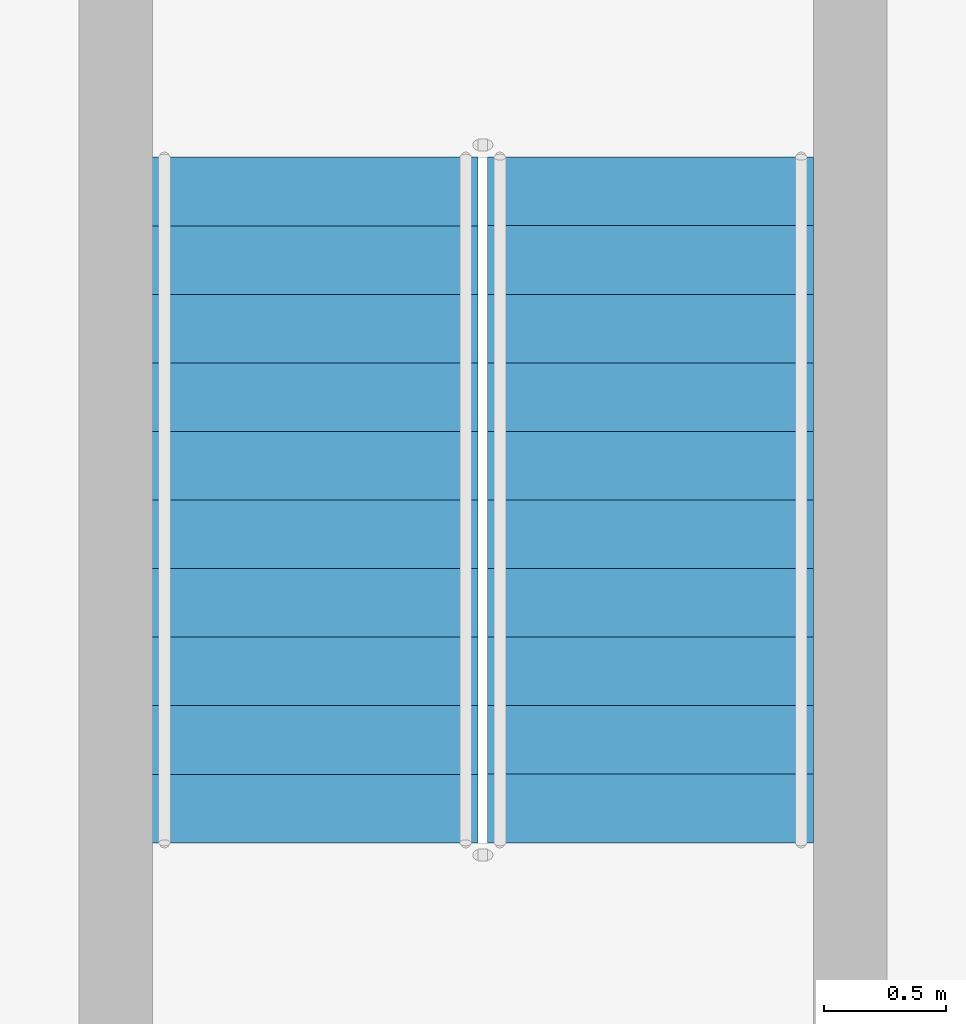
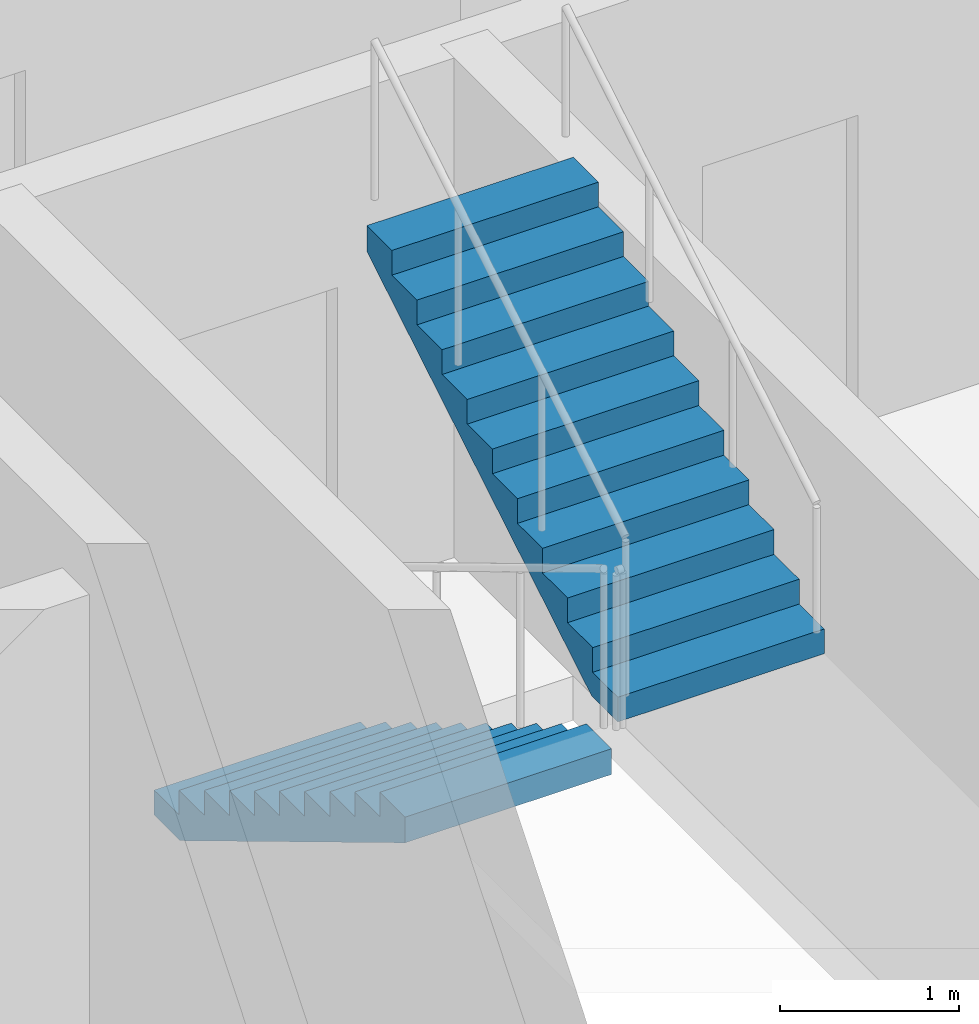
# One storey, part 14 of 20: 2 stair flights, 1 element without a shape of its own.
"""IFC4 building model written with IfcOpenShell, lengths in metres."""

from ifc_helpers import new_model, si_unit, direction, frame, origin, place, context, subcontext, project, spatial, triangles, source, transform, mapped, material, type_object, element, aggregate, save


model = new_model("IFC4")

# Units and contexts
model_context = context("Model", 3, precision=1e-05, world=origin(), true_north=direction((0.0, 1.0)))
body_context = subcontext(model_context, "Body", "Model", "MODEL_VIEW")
ifc_project = project(units=[si_unit("LENGTHUNIT", "METRE"), si_unit("AREAUNIT", "SQUARE_METRE"), si_unit("VOLUMEUNIT", "CUBIC_METRE"), si_unit("PLANEANGLEUNIT", "RADIAN"), si_unit("MASSUNIT", "GRAM", prefix="KILO")], contexts=[model_context])

# Site, building, storey
site_placement = place(None, origin())
site = spatial("IfcSite", under=ifc_project, at=site_placement, CompositionType="ELEMENT")
building_placement = place(site_placement, origin())
building = spatial("IfcBuilding", under=site, at=building_placement, Name="Ogive Portal Towers", CompositionType="ELEMENT")
storey_placement = place(building_placement, frame((0.0, 0.0, 232.800048828125)))
storey = spatial("IfcBuildingStorey", under=building, at=storey_placement, Name="L58", CompositionType="ELEMENT", Elevation=232.800048828125)

# Stair, stair flights
ifc_material = material(Name="Concrete C40/50", Category="concrete")
stair_type = type_object("IfcStairType", Name="INT-STAIR", PredefinedType="HALF_TURN_STAIR", material=ifc_material)
stair_placement = place(storey_placement, origin())
stair = element("IfcStair", 1, at=stair_placement, inside=storey, type_object=stair_type, Name="L58 Exit Stair ST-A4", PredefinedType="HALF_TURN_STAIR")
stair_flight_type = type_object("IfcStairFlightType", Name="INT-FLIGHT", PredefinedType="STRAIGHT", material=ifc_material)
shared_shape = source(origin(), body_context, "Body", "Tessellation", [
    triangles([(0.0, -0.6650390625, 0.0), (0.0, -0.384765625, 0.0), (0.0, -0.197021484375, 0.0), (0.0, -0.0830078125, 0.0), (0.0, -0.024658203125, 0.0), (0.0, -0.003173828125, 0.0), (0.0, 0.0, 0.0), (0.0, 0.003173828125, 0.0), (0.0, 0.024658203125, 0.0), (0.0, 0.0830078125, 0.0), (0.0, 0.197021484375, 0.0), (0.0, 0.384765625, 0.0), (0.0, 0.6650390625, 0.0), (0.0, -0.6650390625, 0.168212890625), (0.0, -0.384765625, 0.168212890625), (0.0, -0.197021484375, 0.168212890625), (0.0, -0.0830078125, 0.168212890625), (0.0, -0.024658203125, 0.168212890625), (0.0, -0.003173828125, 0.168212890625), (0.0, 0.0, 0.168212890625), (0.0, 0.003173828125, 0.168212890625), (0.0, 0.024658203125, 0.168212890625), (0.0, 0.0830078125, 0.168212890625), (0.0, 0.197021484375, 0.168212890625), (0.0, 0.384765625, 0.168212890625), (0.0, 0.6650390625, 0.168212890625), (0.280029296875, -0.6650390625, 0.168212890625), (0.280029296875, -0.384765625, 0.168212890625), (0.280029296875, -0.197021484375, 0.168212890625), (0.280029296875, -0.0830078125, 0.168212890625), (0.280029296875, -0.024658203125, 0.168212890625), (0.280029296875, -0.003173828125, 0.168212890625), (0.280029296875, 0.0, 0.168212890625), (0.280029296875, 0.003173828125, 0.168212890625), (0.280029296875, 0.024658203125, 0.168212890625), (0.280029296875, 0.0830078125, 0.168212890625), (0.280029296875, 0.197021484375, 0.168212890625), (0.280029296875, 0.384765625, 0.168212890625), (0.280029296875, 0.6650390625, 0.168212890625), (0.280029296875, -0.6650390625, 0.33642578125), (0.280029296875, -0.384765625, 0.33642578125), (0.280029296875, -0.197021484375, 0.33642578125), (0.280029296875, -0.0830078125, 0.33642578125), (0.280029296875, -0.024658203125, 0.33642578125), (0.280029296875, -0.003173828125, 0.33642578125), (0.280029296875, 0.0, 0.33642578125), (0.280029296875, 0.003173828125, 0.33642578125), (0.280029296875, 0.024658203125, 0.33642578125), (0.280029296875, 0.0830078125, 0.33642578125), (0.280029296875, 0.197021484375, 0.33642578125), (0.280029296875, 0.384765625, 0.33642578125), (0.280029296875, 0.6650390625, 0.33642578125), (0.56005859375, -0.6650390625, 0.33642578125), (0.56005859375, -0.384765625, 0.33642578125), (0.56005859375, -0.197021484375, 0.33642578125), (0.56005859375, -0.0830078125, 0.33642578125), (0.56005859375, -0.024658203125, 0.33642578125), (0.56005859375, -0.003173828125, 0.33642578125), (0.56005859375, 0.0, 0.33642578125), (0.56005859375, 0.003173828125, 0.33642578125), (0.56005859375, 0.024658203125, 0.33642578125), (0.56005859375, 0.0830078125, 0.33642578125), (0.56005859375, 0.197021484375, 0.33642578125), (0.56005859375, 0.384765625, 0.33642578125), (0.56005859375, 0.6650390625, 0.33642578125), (0.56005859375, -0.6650390625, 0.504638671875), (0.56005859375, -0.384765625, 0.504638671875), (0.56005859375, -0.197021484375, 0.504638671875), (0.56005859375, -0.0830078125, 0.504638671875), (0.56005859375, -0.024658203125, 0.504638671875), (0.56005859375, -0.003173828125, 0.504638671875), (0.56005859375, 0.0, 0.504638671875), (0.56005859375, 0.003173828125, 0.504638671875), (0.56005859375, 0.024658203125, 0.504638671875), (0.56005859375, 0.0830078125, 0.504638671875), (0.56005859375, 0.197021484375, 0.504638671875), (0.56005859375, 0.384765625, 0.504638671875), (0.56005859375, 0.6650390625, 0.504638671875), (0.840087890625, -0.6650390625, 0.504638671875), (0.840087890625, -0.384765625, 0.504638671875), (0.840087890625, -0.197021484375, 0.504638671875), (0.840087890625, -0.0830078125, 0.504638671875), (0.840087890625, -0.024658203125, 0.504638671875), (0.840087890625, -0.003173828125, 0.504638671875), (0.840087890625, 0.0, 0.504638671875), (0.840087890625, 0.003173828125, 0.504638671875), (0.840087890625, 0.024658203125, 0.504638671875), (0.840087890625, 0.0830078125, 0.504638671875), (0.840087890625, 0.197021484375, 0.504638671875), (0.840087890625, 0.384765625, 0.504638671875), (0.840087890625, 0.6650390625, 0.504638671875), (0.840087890625, -0.6650390625, 0.672607421875), (0.840087890625, -0.384765625, 0.672607421875), (0.840087890625, -0.197021484375, 0.672607421875), (0.840087890625, -0.0830078125, 0.672607421875), (0.840087890625, -0.024658203125, 0.672607421875), (0.840087890625, -0.003173828125, 0.672607421875), (0.840087890625, 0.0, 0.672607421875), (0.840087890625, 0.003173828125, 0.672607421875), (0.840087890625, 0.024658203125, 0.672607421875), (0.840087890625, 0.0830078125, 0.672607421875), (0.840087890625, 0.197021484375, 0.672607421875), (0.840087890625, 0.384765625, 0.672607421875), (0.840087890625, 0.6650390625, 0.672607421875), (1.1201171875, -0.6650390625, 0.672607421875), (1.1201171875, -0.384765625, 0.672607421875), (1.1201171875, -0.197021484375, 0.672607421875), (1.1201171875, -0.0830078125, 0.672607421875), (1.1201171875, -0.024658203125, 0.672607421875), (1.1201171875, -0.003173828125, 0.672607421875), (1.1201171875, 0.0, 0.672607421875), (1.1201171875, 0.003173828125, 0.672607421875), (1.1201171875, 0.024658203125, 0.672607421875), (1.1201171875, 0.0830078125, 0.672607421875), (1.1201171875, 0.197021484375, 0.672607421875), (1.1201171875, 0.384765625, 0.672607421875), (1.1201171875, 0.6650390625, 0.672607421875), (1.1201171875, -0.6650390625, 0.8408203125), (1.1201171875, -0.384765625, 0.8408203125), (1.1201171875, -0.197021484375, 0.8408203125), (1.1201171875, -0.0830078125, 0.8408203125), (1.1201171875, -0.024658203125, 0.8408203125), (1.1201171875, -0.003173828125, 0.8408203125), (1.1201171875, 0.0, 0.8408203125), (1.1201171875, 0.003173828125, 0.8408203125), (1.1201171875, 0.024658203125, 0.8408203125), (1.1201171875, 0.0830078125, 0.8408203125), (1.1201171875, 0.197021484375, 0.8408203125), (1.1201171875, 0.384765625, 0.8408203125), (1.1201171875, 0.6650390625, 0.8408203125), (1.39990234375, -0.6650390625, 0.8408203125), (1.39990234375, -0.384765625, 0.8408203125), (1.39990234375, -0.197021484375, 0.8408203125), (1.39990234375, -0.0830078125, 0.8408203125), (1.39990234375, -0.024658203125, 0.8408203125), (1.39990234375, -0.003173828125, 0.8408203125), (1.39990234375, 0.0, 0.8408203125), (1.39990234375, 0.003173828125, 0.8408203125), (1.39990234375, 0.024658203125, 0.8408203125), (1.39990234375, 0.0830078125, 0.8408203125), (1.39990234375, 0.197021484375, 0.8408203125), (1.39990234375, 0.384765625, 0.8408203125), (1.39990234375, 0.6650390625, 0.8408203125), (1.39990234375, -0.6650390625, 1.009033203125), (1.39990234375, -0.384765625, 1.009033203125), (1.39990234375, -0.197021484375, 1.009033203125), (1.39990234375, -0.0830078125, 1.009033203125), (1.39990234375, -0.024658203125, 1.009033203125), (1.39990234375, -0.003173828125, 1.009033203125), (1.39990234375, 0.0, 1.009033203125), (1.39990234375, 0.003173828125, 1.009033203125), (1.39990234375, 0.024658203125, 1.009033203125), (1.39990234375, 0.0830078125, 1.009033203125), (1.39990234375, 0.197021484375, 1.009033203125), (1.39990234375, 0.384765625, 1.009033203125), (1.39990234375, 0.6650390625, 1.009033203125), (1.679931640625, -0.6650390625, 1.009033203125), (1.679931640625, -0.384765625, 1.009033203125), (1.679931640625, -0.197021484375, 1.009033203125), (1.679931640625, -0.0830078125, 1.009033203125), (1.679931640625, -0.024658203125, 1.009033203125), (1.679931640625, -0.003173828125, 1.009033203125), (1.679931640625, 0.0, 1.009033203125), (1.679931640625, 0.003173828125, 1.009033203125), (1.679931640625, 0.024658203125, 1.009033203125), (1.679931640625, 0.0830078125, 1.009033203125), (1.679931640625, 0.197021484375, 1.009033203125), (1.679931640625, 0.384765625, 1.009033203125), (1.679931640625, 0.6650390625, 1.009033203125), (1.679931640625, -0.6650390625, 1.17724609375), (1.679931640625, -0.384765625, 1.17724609375), (1.679931640625, -0.197021484375, 1.17724609375), (1.679931640625, -0.0830078125, 1.17724609375), (1.679931640625, -0.024658203125, 1.17724609375), (1.679931640625, -0.003173828125, 1.17724609375), (1.679931640625, 0.0, 1.17724609375), (1.679931640625, 0.003173828125, 1.17724609375), (1.679931640625, 0.024658203125, 1.17724609375), (1.679931640625, 0.0830078125, 1.17724609375), (1.679931640625, 0.197021484375, 1.17724609375), (1.679931640625, 0.384765625, 1.17724609375), (1.679931640625, 0.6650390625, 1.17724609375), (1.9599609375, -0.6650390625, 1.17724609375), (1.9599609375, -0.384765625, 1.17724609375), (1.9599609375, -0.197021484375, 1.17724609375), (1.9599609375, -0.0830078125, 1.17724609375), (1.9599609375, -0.024658203125, 1.17724609375), (1.9599609375, -0.003173828125, 1.17724609375), (1.9599609375, 0.0, 1.17724609375), (1.9599609375, 0.003173828125, 1.17724609375), (1.9599609375, 0.024658203125, 1.17724609375), (1.9599609375, 0.0830078125, 1.17724609375), (1.9599609375, 0.197021484375, 1.17724609375), (1.9599609375, 0.384765625, 1.17724609375), (1.9599609375, 0.6650390625, 1.17724609375), (1.9599609375, -0.6650390625, 1.345458984375), (1.9599609375, -0.384765625, 1.345458984375), (1.9599609375, -0.197021484375, 1.345458984375), (1.9599609375, -0.0830078125, 1.345458984375), (1.9599609375, -0.024658203125, 1.345458984375), (1.9599609375, -0.003173828125, 1.345458984375), (1.9599609375, 0.0, 1.345458984375), (1.9599609375, 0.003173828125, 1.345458984375), (1.9599609375, 0.024658203125, 1.345458984375), (1.9599609375, 0.0830078125, 1.345458984375), (1.9599609375, 0.197021484375, 1.345458984375), (1.9599609375, 0.384765625, 1.345458984375), (1.9599609375, 0.6650390625, 1.345458984375), (2.239990234375, -0.6650390625, 1.345458984375), (2.239990234375, -0.384765625, 1.345458984375), (2.239990234375, -0.197021484375, 1.345458984375), (2.239990234375, -0.0830078125, 1.345458984375), (2.239990234375, -0.024658203125, 1.345458984375), (2.239990234375, -0.003173828125, 1.345458984375), (2.239990234375, 0.0, 1.345458984375), (2.239990234375, 0.003173828125, 1.345458984375), (2.239990234375, 0.024658203125, 1.345458984375), (2.239990234375, 0.0830078125, 1.345458984375), (2.239990234375, 0.197021484375, 1.345458984375), (2.239990234375, 0.384765625, 1.345458984375), (2.239990234375, 0.6650390625, 1.345458984375), (2.239990234375, -0.6650390625, 1.513671875), (2.239990234375, -0.384765625, 1.513671875), (2.239990234375, -0.197021484375, 1.513671875), (2.239990234375, -0.0830078125, 1.513671875), (2.239990234375, -0.024658203125, 1.513671875), (2.239990234375, -0.003173828125, 1.513671875), (2.239990234375, 0.0, 1.513671875), (2.239990234375, 0.003173828125, 1.513671875), (2.239990234375, 0.024658203125, 1.513671875), (2.239990234375, 0.0830078125, 1.513671875), (2.239990234375, 0.197021484375, 1.513671875), (2.239990234375, 0.384765625, 1.513671875), (2.239990234375, 0.6650390625, 1.513671875), (2.52001953125, -0.6650390625, 1.513671875), (2.52001953125, -0.384765625, 1.513671875), (2.52001953125, -0.197021484375, 1.513671875), (2.52001953125, -0.0830078125, 1.513671875), (2.52001953125, -0.024658203125, 1.513671875), (2.52001953125, -0.003173828125, 1.513671875), (2.52001953125, 0.0, 1.513671875), (2.52001953125, 0.003173828125, 1.513671875), (2.52001953125, 0.024658203125, 1.513671875), (2.52001953125, 0.0830078125, 1.513671875), (2.52001953125, 0.197021484375, 1.513671875), (2.52001953125, 0.384765625, 1.513671875), (2.52001953125, 0.6650390625, 1.513671875), (2.52001953125, -0.6650390625, 1.681884765625), (2.52001953125, -0.384765625, 1.681884765625), (2.52001953125, -0.197021484375, 1.681884765625), (2.52001953125, -0.0830078125, 1.681884765625), (2.52001953125, -0.024658203125, 1.681884765625), (2.52001953125, -0.003173828125, 1.681884765625), (2.52001953125, 0.0, 1.681884765625), (2.52001953125, 0.003173828125, 1.681884765625), (2.52001953125, 0.024658203125, 1.681884765625), (2.52001953125, 0.0830078125, 1.681884765625), (2.52001953125, 0.197021484375, 1.681884765625), (2.52001953125, 0.384765625, 1.681884765625), (2.52001953125, 0.6650390625, 1.681884765625), (2.800048828125, -0.6650390625, 1.681884765625), (2.800048828125, -0.384765625, 1.681884765625), (2.800048828125, -0.197021484375, 1.681884765625), (2.800048828125, -0.0830078125, 1.681884765625), (2.800048828125, -0.024658203125, 1.681884765625), (2.800048828125, -0.003173828125, 1.681884765625), (2.800048828125, 0.0, 1.681884765625), (2.800048828125, 0.003173828125, 1.681884765625), (2.800048828125, 0.024658203125, 1.681884765625), (2.800048828125, 0.0830078125, 1.681884765625), (2.800048828125, 0.197021484375, 1.681884765625), (2.800048828125, 0.384765625, 1.681884765625), (2.800048828125, 0.6650390625, 1.681884765625), (2.800048828125, -0.6650390625, 1.5068359375), (2.800048828125, -0.384765625, 1.5068359375), (2.800048828125, -0.197021484375, 1.5068359375), (2.800048828125, -0.0830078125, 1.5068359375), (2.800048828125, -0.024658203125, 1.5068359375), (2.800048828125, -0.003173828125, 1.5068359375), (2.800048828125, 0.0, 1.5068359375), (2.800048828125, 0.003173828125, 1.5068359375), (2.800048828125, 0.024658203125, 1.5068359375), (2.800048828125, 0.0830078125, 1.5068359375), (2.800048828125, 0.197021484375, 1.5068359375), (2.800048828125, 0.384765625, 1.5068359375), (2.800048828125, 0.6650390625, 1.5068359375), (0.291015625, -0.6650390625, 0.0), (0.291015625, -0.384765625, 0.0), (0.291015625, -0.197021484375, 0.0), (0.291015625, -0.0830078125, 0.0), (0.291015625, -0.024658203125, 0.0), (0.291015625, -0.003173828125, 0.0), (0.291015625, 0.0, 0.0), (0.291015625, 0.003173828125, 0.0), (0.291015625, 0.024658203125, 0.0), (0.291015625, 0.0830078125, 0.0), (0.291015625, 0.197021484375, 0.0), (0.291015625, 0.384765625, 0.0), (0.291015625, 0.6650390625, 0.0)], [[1, 14, 15], [1, 15, 2], [2, 15, 16], [2, 16, 3], [3, 16, 17], [3, 17, 4], [4, 17, 18], [4, 18, 5], [5, 18, 19], [5, 19, 6], [6, 19, 20], [6, 20, 7], [7, 20, 21], [7, 21, 8], [8, 21, 22], [8, 22, 9], [9, 22, 23], [9, 23, 10], [10, 23, 24], [10, 24, 11], [11, 24, 25], [11, 25, 12], [12, 25, 26], [12, 26, 13], [14, 27, 28], [14, 28, 15], [15, 28, 29], [15, 29, 16], [16, 29, 30], [16, 30, 17], [17, 30, 31], [17, 31, 18], [18, 31, 32], [18, 32, 19], [19, 32, 33], [19, 33, 20], [20, 33, 34], [20, 34, 21], [21, 34, 35], [21, 35, 22], [22, 35, 36], [22, 36, 23], [23, 36, 37], [23, 37, 24], [24, 37, 38], [24, 38, 25], [25, 38, 39], [25, 39, 26], [27, 40, 41], [27, 41, 28], [28, 41, 42], [28, 42, 29], [29, 42, 43], [29, 43, 30], [30, 43, 44], [30, 44, 31], [31, 44, 45], [31, 45, 32], [32, 45, 46], [32, 46, 33], [33, 46, 47], [33, 47, 34], [34, 47, 48], [34, 48, 35], [35, 48, 49], [35, 49, 36], [36, 49, 50], [36, 50, 37], [37, 50, 51], [37, 51, 38], [38, 51, 52], [38, 52, 39], [40, 53, 54], [40, 54, 41], [41, 54, 55], [41, 55, 42], [42, 55, 56], [42, 56, 43], [43, 56, 57], [43, 57, 44], [44, 57, 58], [44, 58, 45], [45, 58, 59], [45, 59, 46], [46, 59, 60], [46, 60, 47], [47, 60, 61], [47, 61, 48], [48, 61, 62], [48, 62, 49], [49, 62, 63], [49, 63, 50], [50, 63, 64], [50, 64, 51], [51, 64, 65], [51, 65, 52], [53, 66, 67], [53, 67, 54], [54, 67, 68], [54, 68, 55], [55, 68, 69], [55, 69, 56], [56, 69, 70], [56, 70, 57], [57, 70, 71], [57, 71, 58], [58, 71, 72], [58, 72, 59], [59, 72, 73], [59, 73, 60], [60, 73, 74], [60, 74, 61], [61, 74, 75], [61, 75, 62], [62, 75, 76], [62, 76, 63], [63, 76, 77], [63, 77, 64], [64, 77, 78], [64, 78, 65], [66, 79, 80], [66, 80, 67], [67, 80, 81], [67, 81, 68], [68, 81, 82], [68, 82, 69], [69, 82, 83], [69, 83, 70], [70, 83, 84], [70, 84, 71], [71, 84, 85], [71, 85, 72], [72, 85, 86], [72, 86, 73], [73, 86, 87], [73, 87, 74], [74, 87, 88], [74, 88, 75], [75, 88, 89], [75, 89, 76], [76, 89, 90], [76, 90, 77], [77, 90, 91], [77, 91, 78], [79, 92, 93], [79, 93, 80], [80, 93, 94], [80, 94, 81], [81, 94, 95], [81, 95, 82], [82, 95, 96], [82, 96, 83], [83, 96, 97], [83, 97, 84], [84, 97, 98], [84, 98, 85], [85, 98, 99], [85, 99, 86], [86, 99, 100], [86, 100, 87], [87, 100, 101], [87, 101, 88], [88, 101, 102], [88, 102, 89], [89, 102, 103], [89, 103, 90], [90, 103, 104], [90, 104, 91], [92, 105, 106], [92, 106, 93], [93, 106, 107], [93, 107, 94], [94, 107, 108], [94, 108, 95], [95, 108, 109], [95, 109, 96], [96, 109, 110], [96, 110, 97], [97, 110, 111], [97, 111, 98], [98, 111, 112], [98, 112, 99], [99, 112, 113], [99, 113, 100], [100, 113, 114], [100, 114, 101], [101, 114, 115], [101, 115, 102], [102, 115, 116], [102, 116, 103], [103, 116, 117], [103, 117, 104], [105, 118, 119], [105, 119, 106], [106, 119, 120], [106, 120, 107], [107, 120, 121], [107, 121, 108], [108, 121, 122], [108, 122, 109], [109, 122, 123], [109, 123, 110], [110, 123, 124], [110, 124, 111], [111, 124, 125], [111, 125, 112], [112, 125, 126], [112, 126, 113], [113, 126, 127], [113, 127, 114], [114, 127, 128], [114, 128, 115], [115, 128, 129], [115, 129, 116], [116, 129, 130], [116, 130, 117], [118, 131, 132], [118, 132, 119], [119, 132, 133], [119, 133, 120], [120, 133, 134], [120, 134, 121], [121, 134, 135], [121, 135, 122], [122, 135, 136], [122, 136, 123], [123, 136, 137], [123, 137, 124], [124, 137, 138], [124, 138, 125], [125, 138, 139], [125, 139, 126], [126, 139, 140], [126, 140, 127], [127, 140, 141], [127, 141, 128], [128, 141, 142], [128, 142, 129], [129, 142, 143], [129, 143, 130], [131, 144, 145], [131, 145, 132], [132, 145, 146], [132, 146, 133], [133, 146, 147], [133, 147, 134], [134, 147, 148], [134, 148, 135], [135, 148, 149], [135, 149, 136], [136, 149, 150], [136, 150, 137], [137, 150, 151], [137, 151, 138], [138, 151, 152], [138, 152, 139], [139, 152, 153], [139, 153, 140], [140, 153, 154], [140, 154, 141], [141, 154, 155], [141, 155, 142], [142, 155, 156], [142, 156, 143], [144, 157, 158], [144, 158, 145], [145, 158, 159], [145, 159, 146], [146, 159, 160], [146, 160, 147], [147, 160, 161], [147, 161, 148], [148, 161, 162], [148, 162, 149], [149, 162, 163], [149, 163, 150], [150, 163, 164], [150, 164, 151], [151, 164, 165], [151, 165, 152], [152, 165, 166], [152, 166, 153], [153, 166, 167], [153, 167, 154], [154, 167, 168], [154, 168, 155], [155, 168, 169], [155, 169, 156], [157, 170, 171], [157, 171, 158], [158, 171, 172], [158, 172, 159], [159, 172, 173], [159, 173, 160], [160, 173, 174], [160, 174, 161], [161, 174, 175], [161, 175, 162], [162, 175, 176], [162, 176, 163], [163, 176, 177], [163, 177, 164], [164, 177, 178], [164, 178, 165], [165, 178, 179], [165, 179, 166], [166, 179, 180], [166, 180, 167], [167, 180, 181], [167, 181, 168], [168, 181, 182], [168, 182, 169], [170, 183, 184], [170, 184, 171], [171, 184, 185], [171, 185, 172], [172, 185, 186], [172, 186, 173], [173, 186, 187], [173, 187, 174], [174, 187, 188], [174, 188, 175], [175, 188, 189], [175, 189, 176], [176, 189, 190], [176, 190, 177], [177, 190, 191], [177, 191, 178], [178, 191, 192], [178, 192, 179], [179, 192, 193], [179, 193, 180], [180, 193, 194], [180, 194, 181], [181, 194, 195], [181, 195, 182], [183, 196, 197], [183, 197, 184], [184, 197, 198], [184, 198, 185], [185, 198, 199], [185, 199, 186], [186, 199, 200], [186, 200, 187], [187, 200, 201], [187, 201, 188], [188, 201, 202], [188, 202, 189], [189, 202, 203], [189, 203, 190], [190, 203, 204], [190, 204, 191], [191, 204, 205], [191, 205, 192], [192, 205, 206], [192, 206, 193], [193, 206, 207], [193, 207, 194], [194, 207, 208], [194, 208, 195], [196, 209, 210], [196, 210, 197], [197, 210, 211], [197, 211, 198], [198, 211, 212], [198, 212, 199], [199, 212, 213], [199, 213, 200], [200, 213, 214], [200, 214, 201], [201, 214, 215], [201, 215, 202], [202, 215, 216], [202, 216, 203], [203, 216, 217], [203, 217, 204], [204, 217, 218], [204, 218, 205], [205, 218, 219], [205, 219, 206], [206, 219, 220], [206, 220, 207], [207, 220, 221], [207, 221, 208], [209, 222, 223], [209, 223, 210], [210, 223, 224], [210, 224, 211], [211, 224, 225], [211, 225, 212], [212, 225, 226], [212, 226, 213], [213, 226, 227], [213, 227, 214], [214, 227, 228], [214, 228, 215], [215, 228, 229], [215, 229, 216], [216, 229, 230], [216, 230, 217], [217, 230, 231], [217, 231, 218], [218, 231, 232], [218, 232, 219], [219, 232, 233], [219, 233, 220], [220, 233, 234], [220, 234, 221], [222, 235, 236], [222, 236, 223], [223, 236, 237], [223, 237, 224], [224, 237, 238], [224, 238, 225], [225, 238, 239], [225, 239, 226], [226, 239, 240], [226, 240, 227], [227, 240, 241], [227, 241, 228], [228, 241, 242], [228, 242, 229], [229, 242, 243], [229, 243, 230], [230, 243, 244], [230, 244, 231], [231, 244, 245], [231, 245, 232], [232, 245, 246], [232, 246, 233], [233, 246, 247], [233, 247, 234], [235, 248, 249], [235, 249, 236], [236, 249, 250], [236, 250, 237], [237, 250, 251], [237, 251, 238], [238, 251, 252], [238, 252, 239], [239, 252, 253], [239, 253, 240], [240, 253, 254], [240, 254, 241], [241, 254, 255], [241, 255, 242], [242, 255, 256], [242, 256, 243], [243, 256, 257], [243, 257, 244], [244, 257, 258], [244, 258, 245], [245, 258, 259], [245, 259, 246], [246, 259, 260], [246, 260, 247], [248, 261, 262], [248, 262, 249], [249, 262, 263], [249, 263, 250], [250, 263, 264], [250, 264, 251], [251, 264, 265], [251, 265, 252], [252, 265, 266], [252, 266, 253], [253, 266, 267], [253, 267, 254], [254, 267, 268], [254, 268, 255], [255, 268, 269], [255, 269, 256], [256, 269, 270], [256, 270, 257], [257, 270, 271], [257, 271, 258], [258, 271, 272], [258, 272, 259], [259, 272, 273], [259, 273, 260], [261, 274, 275], [261, 275, 262], [262, 275, 276], [262, 276, 263], [263, 276, 277], [263, 277, 264], [264, 277, 278], [264, 278, 265], [265, 278, 279], [265, 279, 266], [266, 279, 280], [266, 280, 267], [267, 280, 281], [267, 281, 268], [268, 281, 282], [268, 282, 269], [269, 282, 283], [269, 283, 270], [270, 283, 284], [270, 284, 271], [271, 284, 285], [271, 285, 272], [272, 285, 286], [272, 286, 273], [274, 287, 288], [274, 288, 275], [275, 288, 289], [275, 289, 276], [276, 289, 290], [276, 290, 277], [277, 290, 291], [277, 291, 278], [278, 291, 292], [278, 292, 279], [279, 292, 293], [279, 293, 280], [280, 293, 294], [280, 294, 281], [281, 294, 295], [281, 295, 282], [282, 295, 296], [282, 296, 283], [283, 296, 297], [283, 297, 284], [284, 297, 298], [284, 298, 285], [285, 298, 299], [285, 299, 286], [287, 1, 2], [287, 2, 288], [288, 2, 3], [288, 3, 289], [289, 3, 4], [289, 4, 290], [290, 4, 5], [290, 5, 291], [291, 5, 6], [291, 6, 292], [292, 6, 7], [292, 7, 293], [293, 7, 8], [293, 8, 294], [294, 8, 9], [294, 9, 295], [295, 9, 10], [295, 10, 296], [296, 10, 11], [296, 11, 297], [297, 11, 12], [297, 12, 298], [298, 12, 13], [298, 13, 299], [1, 287, 274], [13, 286, 299], [274, 261, 248], [286, 260, 273], [274, 248, 235], [286, 247, 260], [274, 235, 222], [286, 234, 247], [274, 222, 209], [286, 221, 234], [209, 196, 183], [221, 195, 208], [274, 209, 183], [286, 195, 221], [183, 170, 157], [195, 169, 182], [274, 183, 157], [286, 169, 195], [157, 144, 131], [169, 143, 156], [274, 157, 131], [286, 143, 169], [131, 118, 105], [143, 117, 130], [274, 131, 105], [286, 117, 143], [1, 274, 105], [13, 117, 286], [105, 92, 79], [117, 91, 104], [79, 66, 53], [91, 65, 78], [105, 79, 53], [117, 65, 91], [53, 40, 27], [65, 39, 52], [105, 53, 27], [117, 39, 65], [1, 105, 27], [13, 39, 117], [27, 14, 1], [39, 13, 26]], closed=True),
])
stair_flight_1_placement = place(storey_placement, frame((87.6650390625, 29.169921875, 0.0), z_axis=(0.0, 0.0, 1.0), x_axis=(0.0, -1.0, 0.0)))
stair_flight_1 = element("IfcStairFlight", 2, at=stair_flight_1_placement, type_object=stair_flight_type, Name="ST-A4 flight 1", NumberOfRisers=11, NumberOfTreads=10, PredefinedType="STRAIGHT", RiserHeight=0.168181818, TreadLength=0.28, context=body_context, shape_type="MappedRepresentation", body=[
    mapped(shared_shape, transform((0.0, 0.0, 0.0), scale=1.0)),
])
stair_flight_2_placement = place(storey_placement, frame((89.034912109375, 26.3701171875, 1.849853515625), z_axis=(0.0, 0.0, 1.0), x_axis=(0.0, 1.0, 0.0)))
stair_flight_2 = element("IfcStairFlight", 3, at=stair_flight_2_placement, type_object=stair_flight_type, Name="ST-A4 flight 2", NumberOfRisers=11, NumberOfTreads=10, PredefinedType="STRAIGHT", RiserHeight=0.168181818, TreadLength=0.28, context=body_context, shape_type="MappedRepresentation", body=[
    mapped(shared_shape, transform((0.0, 0.0, 0.0), scale=1.0)),
])
aggregate(stair, [stair_flight_1, stair_flight_2])

save(model, "model.ifc")
